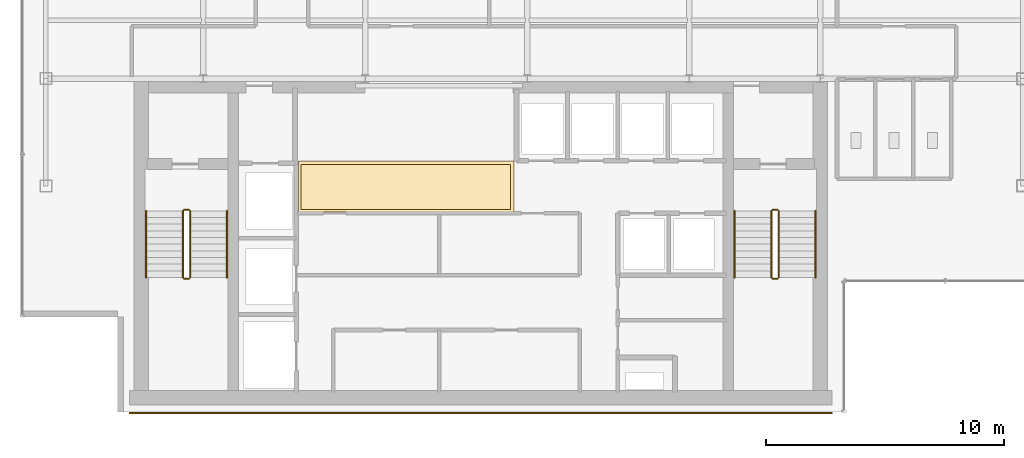
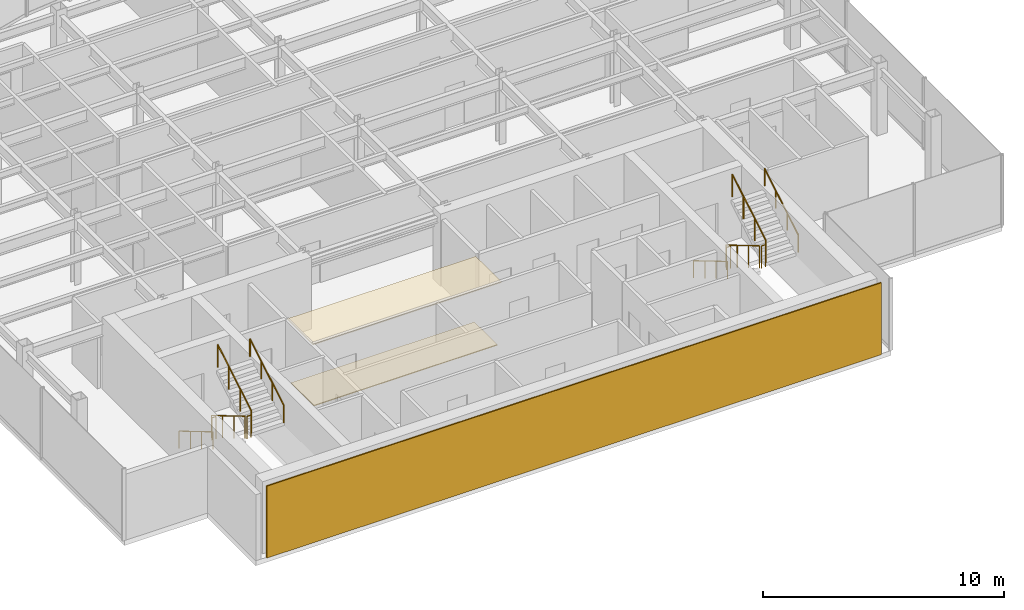
# One storey, part 20 of 22: 12 railings, 3 coverings.
"""IFC4 building model written with IfcOpenShell, lengths in metres."""

from ifc_helpers import new_model, si_unit, derived_unit, direction, frame, origin, origin_2d, place, context, subcontext, project, spatial, polyline, rectangle, circle, outline, extrude, source, transform, mapped, material, layer, layer_set, type_object, element, save


model = new_model("IFC4")

# Units and contexts
model_context = context("Model", 3, precision=1e-05, world=origin(), true_north=direction((0.0, 1.0)))
body_context = subcontext(model_context, "Body", "Model", "MODEL_VIEW")
ifc_project = project(units=[si_unit("LENGTHUNIT", "METRE"), si_unit("AREAUNIT", "SQUARE_METRE"), si_unit("VOLUMEUNIT", "CUBIC_METRE"), si_unit("PLANEANGLEUNIT", "RADIAN"), si_unit("MASSUNIT", "GRAM", prefix="KILO"), derived_unit("THERMALTRANSMITTANCEUNIT", [(si_unit("POWERUNIT", "WATT"), 1), (si_unit("LENGTHUNIT", "METRE"), -2), (si_unit("THERMODYNAMICTEMPERATUREUNIT", "KELVIN"), -1)])], contexts=[model_context])

# Site, building, storey
site_placement = place(None, origin())
site = spatial("IfcSite", under=ifc_project, at=site_placement, CompositionType="ELEMENT")
building_placement = place(site_placement, origin())
building = spatial("IfcBuilding", under=site, at=building_placement, Name="Skarnbrae Concourse Arena and Tower", CompositionType="ELEMENT")
storey_placement = place(building_placement, frame((0.0, 0.0, 232.39990234375)))
storey = spatial("IfcBuildingStorey", under=building, at=storey_placement, Name="L60", CompositionType="ELEMENT", Elevation=232.39990234375)

# Coverings
ifc_material_1 = material(Name="Mineral fibre acoustic ceiling tile", Category="other")
ifc_layer_1 = layer(ifc_material_1, 0.0400390625)
ifc_layer_set_1 = layer_set([ifc_layer_1], Name="Mineral fibre acoustic ceiling tile")
covering_type_1 = type_object("IfcCoveringType", Name="COV-CEIL-ACOUSTIC", PredefinedType="CEILING", material=ifc_layer_set_1)
covering_1_placement = place(storey_placement, frame((0.0, 0.0, 3.190185546875)))
element("IfcCovering", 1, at=covering_1_placement, inside=storey, type_object=covering_type_1, Name="L60 Lift lobby acoustic ceiling", PredefinedType="CEILING", context=body_context, shape_type="SweptSolid", body=[
    extrude(outline(polyline([(11.60009765625, 8.39990234375), (20.64990234375, 8.39990234375), (20.64990234375, 10.550048828125), (11.60009765625, 10.550048828125), (11.60009765625, 8.39990234375)])), origin(), (0.0, 0.0, 1.0), 0.039794921875),
])
ifc_material_2 = material(Name="Polished granite terrazzo flooring", Category="masonry")
ifc_layer_2 = layer(ifc_material_2, 0.0400390625)
ifc_layer_set_2 = layer_set([ifc_layer_2], Name="Polished granite terrazzo flooring")
covering_type_2 = type_object("IfcCoveringType", Name="COV-FLOOR-TERRAZZO", PredefinedType="FLOORING", material=ifc_layer_set_2)
covering_2_placement = place(storey_placement, origin())
element("IfcCovering", 2, at=covering_2_placement, inside=storey, type_object=covering_type_2, Name="L60 Lift lobby terrazzo flooring", PredefinedType="FLOORING", context=body_context, shape_type="SweptSolid", body=[
    extrude(outline(polyline([(11.699951171875, 8.5), (20.5, 8.5), (20.5, 10.39990234375), (11.699951171875, 10.39990234375), (11.699951171875, 8.5)])), origin(), (0.0, 0.0, 1.0), 0.0400390625),
])

# Railings
ifc_material_3 = material(Name="Steel CSA G40.21 350W", Category="steel")
railing_type_1 = type_object("IfcRailingType", Name="RAIL-HANDRAIL-900", PredefinedType="HANDRAIL", material=ifc_material_3)
railing_1_placement = place(storey_placement, frame((5.199951171875, 8.449951171875, 0.166015625)))
element("IfcRailing", 3, at=railing_1_placement, inside=storey, type_object=railing_type_1, Name="L60 ST-1 stair handrail 1", PredefinedType="HANDRAIL", context=body_context, shape_type="SweptSolid", body=[
    extrude(circle(Radius=0.02392578125, at=origin_2d()), frame((0.0, 0.0, 0.8759765625), z_axis=(0.0, -0.860306154799, 0.50977771628), x_axis=(1.0, 0.0, 0.0)), (0.0, 0.0, 1.0), 3.254638671875),
    extrude(circle(Radius=0.02099609375, at=origin_2d()), origin(), (0.0, 0.0, 1.0), 0.851806640625),
    extrude(circle(Radius=0.02099609375, at=origin_2d()), frame((0.0, -0.933349609375, 0.552978515625)), (0.0, 0.0, 1.0), 0.851806640625),
    extrude(circle(Radius=0.02099609375, at=origin_2d()), frame((0.0, -1.86669921875, 1.106201171875)), (0.0, 0.0, 1.0), 0.851806640625),
    extrude(circle(Radius=0.02099609375, at=origin_2d()), frame((0.0, -2.800048828125, 1.6591796875)), (0.0, 0.0, 1.0), 0.851806640625),
])
railing_2_placement = place(storey_placement, frame((8.60009765625, 5.64990234375, 1.990966796875)))
element("IfcRailing", 4, at=railing_2_placement, inside=storey, type_object=railing_type_1, Name="L60 ST-1 stair handrail 2", PredefinedType="HANDRAIL", context=body_context, shape_type="SweptSolid", body=[
    extrude(circle(Radius=0.02392578125, at=origin_2d()), frame((0.0, 0.0, 0.8759765625), z_axis=(0.0, 0.860306154799, 0.50977771628), x_axis=(-1.0, 0.0, 0.0)), (0.0, 0.0, 1.0), 3.254638671875),
    extrude(circle(Radius=0.02099609375, at=origin_2d()), origin(), (0.0, 0.0, 1.0), 0.851806640625),
    extrude(circle(Radius=0.02099609375, at=origin_2d()), frame((0.0, 0.933349609375, 0.552978515625)), (0.0, 0.0, 1.0), 0.851806640625),
    extrude(circle(Radius=0.02099609375, at=origin_2d()), frame((0.0, 1.86669921875, 1.106201171875)), (0.0, 0.0, 1.0), 0.851806640625),
    extrude(circle(Radius=0.02099609375, at=origin_2d()), frame((0.0, 2.800048828125, 1.6591796875)), (0.0, 0.0, 1.0), 0.851806640625),
])
railing_3_placement = place(storey_placement, frame((29.89990234375, 8.449951171875, 0.166015625)))
element("IfcRailing", 5, at=railing_3_placement, inside=storey, type_object=railing_type_1, Name="L60 ST-2 stair handrail 1", PredefinedType="HANDRAIL", context=body_context, shape_type="SweptSolid", body=[
    extrude(circle(Radius=0.02392578125, at=origin_2d()), frame((0.0, 0.0, 0.8759765625), z_axis=(0.0, -0.860306154799, 0.50977771628), x_axis=(1.0, 0.0, 0.0)), (0.0, 0.0, 1.0), 3.254638671875),
    extrude(circle(Radius=0.02099609375, at=origin_2d()), origin(), (0.0, 0.0, 1.0), 0.851806640625),
    extrude(circle(Radius=0.02099609375, at=origin_2d()), frame((0.0, -0.933349609375, 0.552978515625)), (0.0, 0.0, 1.0), 0.851806640625),
    extrude(circle(Radius=0.02099609375, at=origin_2d()), frame((0.0, -1.86669921875, 1.106201171875)), (0.0, 0.0, 1.0), 0.851806640625),
    extrude(circle(Radius=0.02099609375, at=origin_2d()), frame((0.0, -2.800048828125, 1.6591796875)), (0.0, 0.0, 1.0), 0.851806640625),
])
railing_4_placement = place(storey_placement, frame((33.300048828125, 5.64990234375, 1.990966796875)))
element("IfcRailing", 6, at=railing_4_placement, inside=storey, type_object=railing_type_1, Name="L60 ST-2 stair handrail 2", PredefinedType="HANDRAIL", context=body_context, shape_type="SweptSolid", body=[
    extrude(circle(Radius=0.02392578125, at=origin_2d()), frame((0.0, 0.0, 0.8759765625), z_axis=(0.0, 0.860306154799, 0.50977771628), x_axis=(-1.0, 0.0, 0.0)), (0.0, 0.0, 1.0), 3.254638671875),
    extrude(circle(Radius=0.02099609375, at=origin_2d()), origin(), (0.0, 0.0, 1.0), 0.851806640625),
    extrude(circle(Radius=0.02099609375, at=origin_2d()), frame((0.0, 0.933349609375, 0.552978515625)), (0.0, 0.0, 1.0), 0.851806640625),
    extrude(circle(Radius=0.02099609375, at=origin_2d()), frame((0.0, 1.86669921875, 1.106201171875)), (0.0, 0.0, 1.0), 0.851806640625),
    extrude(circle(Radius=0.02099609375, at=origin_2d()), frame((0.0, 2.800048828125, 1.6591796875)), (0.0, 0.0, 1.0), 0.851806640625),
])
railing_type_2 = type_object("IfcRailingType", Name="RAIL-STAIR-GUARD-1150", PredefinedType="GUARDRAIL", material=ifc_material_3)
railing_5_placement = place(storey_placement, frame((6.75, 8.449951171875, 0.166015625)))
element("IfcRailing", 7, at=railing_5_placement, inside=storey, type_object=railing_type_2, Name="L60 ST-1 stair guard 1", PredefinedType="GUARDRAIL", context=body_context, shape_type="SweptSolid", body=[
    extrude(circle(Radius=0.02392578125, at=origin_2d()), frame((0.0, 0.0, 1.1259765625), z_axis=(0.0, -0.860306154799, 0.50977771628), x_axis=(1.0, 0.0, 0.0)), (0.0, 0.0, 1.0), 3.254638671875),
    extrude(circle(Radius=0.02099609375, at=origin_2d()), origin(), (0.0, 0.0, 1.0), 1.101806640625),
    extrude(circle(Radius=0.02099609375, at=origin_2d()), frame((0.0, -0.933349609375, 0.552978515625)), (0.0, 0.0, 1.0), 1.101806640625),
    extrude(circle(Radius=0.02099609375, at=origin_2d()), frame((0.0, -1.86669921875, 1.106201171875)), (0.0, 0.0, 1.0), 1.101806640625),
    extrude(circle(Radius=0.02099609375, at=origin_2d()), frame((0.0, -2.800048828125, 1.6591796875)), (0.0, 0.0, 1.0), 1.101806640625),
])
railing_6_placement = place(storey_placement, frame((6.800048828125, 5.60009765625, 1.8251953125)))
element("IfcRailing", 8, at=railing_6_placement, inside=storey, type_object=railing_type_2, Name="L60 ST-1 stair guard 2", PredefinedType="GUARDRAIL", context=body_context, shape_type="SweptSolid", body=[
    extrude(circle(Radius=0.02392578125, at=origin_2d()), frame((0.0, 0.0, 1.1259765625), z_axis=(1.0, 0.0, 0.0), x_axis=(0.0, 1.0, 0.0)), (0.0, 0.0, 1.0), 0.199951171875),
    extrude(circle(Radius=0.02099609375, at=origin_2d()), origin(), (0.0, 0.0, 1.0), 1.101806640625),
    extrude(circle(Radius=0.02099609375, at=origin_2d()), frame((0.199951171875, 0.0, 0.0)), (0.0, 0.0, 1.0), 1.101806640625),
])
railing_7_placement = place(storey_placement, frame((7.050048828125, 5.64990234375, 1.990966796875)))
element("IfcRailing", 9, at=railing_7_placement, inside=storey, type_object=railing_type_2, Name="L60 ST-1 stair guard 3", PredefinedType="GUARDRAIL", context=body_context, shape_type="SweptSolid", body=[
    extrude(circle(Radius=0.02392578125, at=origin_2d()), frame((0.0, 0.0, 1.1259765625), z_axis=(0.0, 0.860306154799, 0.50977771628), x_axis=(-1.0, 0.0, 0.0)), (0.0, 0.0, 1.0), 3.254638671875),
    extrude(circle(Radius=0.02099609375, at=origin_2d()), origin(), (0.0, 0.0, 1.0), 1.101806640625),
    extrude(circle(Radius=0.02099609375, at=origin_2d()), frame((0.0, 0.933349609375, 0.552978515625)), (0.0, 0.0, 1.0), 1.101806640625),
    extrude(circle(Radius=0.02099609375, at=origin_2d()), frame((0.0, 1.86669921875, 1.106201171875)), (0.0, 0.0, 1.0), 1.101806640625),
    extrude(circle(Radius=0.02099609375, at=origin_2d()), frame((0.0, 2.800048828125, 1.6591796875)), (0.0, 0.0, 1.0), 1.101806640625),
])
railing_8_placement = place(storey_placement, frame((6.800048828125, 8.5, 0.0)))
element("IfcRailing", 10, at=railing_8_placement, inside=storey, type_object=railing_type_2, Name="L60 ST-1 stair guard 4", PredefinedType="GUARDRAIL", context=body_context, shape_type="SweptSolid", body=[
    extrude(circle(Radius=0.02392578125, at=origin_2d()), frame((0.0, 0.0, 1.1259765625), z_axis=(1.0, 0.0, 0.0), x_axis=(0.0, 1.0, 0.0)), (0.0, 0.0, 1.0), 0.199951171875),
    extrude(circle(Radius=0.02099609375, at=origin_2d()), origin(), (0.0, 0.0, 1.0), 1.101806640625),
    extrude(circle(Radius=0.02099609375, at=origin_2d()), frame((0.199951171875, 0.0, 0.0)), (0.0, 0.0, 1.0), 1.101806640625),
])
railing_9_placement = place(storey_placement, frame((31.449951171875, 8.449951171875, 0.166015625)))
element("IfcRailing", 11, at=railing_9_placement, inside=storey, type_object=railing_type_2, Name="L60 ST-2 stair guard 1", PredefinedType="GUARDRAIL", context=body_context, shape_type="SweptSolid", body=[
    extrude(circle(Radius=0.02392578125, at=origin_2d()), frame((0.0, 0.0, 1.1259765625), z_axis=(0.0, -0.860306154799, 0.50977771628), x_axis=(1.0, 0.0, 0.0)), (0.0, 0.0, 1.0), 3.254638671875),
    extrude(circle(Radius=0.02099609375, at=origin_2d()), origin(), (0.0, 0.0, 1.0), 1.101806640625),
    extrude(circle(Radius=0.02099609375, at=origin_2d()), frame((0.0, -0.933349609375, 0.552978515625)), (0.0, 0.0, 1.0), 1.101806640625),
    extrude(circle(Radius=0.02099609375, at=origin_2d()), frame((0.0, -1.86669921875, 1.106201171875)), (0.0, 0.0, 1.0), 1.101806640625),
    extrude(circle(Radius=0.02099609375, at=origin_2d()), frame((0.0, -2.800048828125, 1.6591796875)), (0.0, 0.0, 1.0), 1.101806640625),
])
railing_10_placement = place(storey_placement, frame((31.5, 5.60009765625, 1.8251953125)))
element("IfcRailing", 12, at=railing_10_placement, inside=storey, type_object=railing_type_2, Name="L60 ST-2 stair guard 2", PredefinedType="GUARDRAIL", context=body_context, shape_type="SweptSolid", body=[
    extrude(circle(Radius=0.02392578125, at=origin_2d()), frame((0.0, 0.0, 1.1259765625), z_axis=(1.0, 0.0, 0.0), x_axis=(0.0, 1.0, 0.0)), (0.0, 0.0, 1.0), 0.199951171875),
    extrude(circle(Radius=0.02099609375, at=origin_2d()), origin(), (0.0, 0.0, 1.0), 1.101806640625),
    extrude(circle(Radius=0.02099609375, at=origin_2d()), frame((0.199951171875, 0.0, 0.0)), (0.0, 0.0, 1.0), 1.101806640625),
])
railing_11_placement = place(storey_placement, frame((31.75, 5.64990234375, 1.990966796875)))
element("IfcRailing", 13, at=railing_11_placement, inside=storey, type_object=railing_type_2, Name="L60 ST-2 stair guard 3", PredefinedType="GUARDRAIL", context=body_context, shape_type="SweptSolid", body=[
    extrude(circle(Radius=0.02392578125, at=origin_2d()), frame((0.0, 0.0, 1.1259765625), z_axis=(0.0, 0.860306154799, 0.50977771628), x_axis=(-1.0, 0.0, 0.0)), (0.0, 0.0, 1.0), 3.254638671875),
    extrude(circle(Radius=0.02099609375, at=origin_2d()), origin(), (0.0, 0.0, 1.0), 1.101806640625),
    extrude(circle(Radius=0.02099609375, at=origin_2d()), frame((0.0, 0.933349609375, 0.552978515625)), (0.0, 0.0, 1.0), 1.101806640625),
    extrude(circle(Radius=0.02099609375, at=origin_2d()), frame((0.0, 1.86669921875, 1.106201171875)), (0.0, 0.0, 1.0), 1.101806640625),
    extrude(circle(Radius=0.02099609375, at=origin_2d()), frame((0.0, 2.800048828125, 1.6591796875)), (0.0, 0.0, 1.0), 1.101806640625),
])
railing_12_placement = place(storey_placement, frame((31.5, 8.5, 0.0)))
element("IfcRailing", 14, at=railing_12_placement, inside=storey, type_object=railing_type_2, Name="L60 ST-2 stair guard 4", PredefinedType="GUARDRAIL", context=body_context, shape_type="SweptSolid", body=[
    extrude(circle(Radius=0.02392578125, at=origin_2d()), frame((0.0, 0.0, 1.1259765625), z_axis=(1.0, 0.0, 0.0), x_axis=(0.0, 1.0, 0.0)), (0.0, 0.0, 1.0), 0.199951171875),
    extrude(circle(Radius=0.02099609375, at=origin_2d()), origin(), (0.0, 0.0, 1.0), 1.101806640625),
    extrude(circle(Radius=0.02099609375, at=origin_2d()), frame((0.199951171875, 0.0, 0.0)), (0.0, 0.0, 1.0), 1.101806640625),
])

# Covering
ifc_material_4 = material(Name="Bronze anodised aluminium 6063-T6", Category="aluminium")
ifc_layer_3 = layer(ifc_material_4, 0.06005859375)
ifc_layer_set_3 = layer_set([ifc_layer_3], Name="Bronze anodised aluminium 6063-T6")
covering_type_3 = type_object("IfcCoveringType", Name="COV-CLAD-BRONZE-60", PredefinedType="CLADDING", material=ifc_layer_set_3)
shared_shape = source(origin(), body_context, "Body", "SweptSolid", [
    extrude(rectangle(XDim=29.5, YDim=0.06005859375, at=origin_2d()), origin(), (0.0, 0.0, 1.0), 3.64990234375),
])
covering_3_placement = place(storey_placement, frame((19.25, -0.030029296875, 0.000244140625), z_axis=(0.0, 0.0, 1.0), x_axis=(1.0, 0.0, 0.0)))
element("IfcCovering", 15, at=covering_3_placement, inside=storey, type_object=covering_type_3, Name="L60 Rear-core plumb spine bronze rainscreen panel", PredefinedType="CLADDING", context=body_context, shape_type="MappedRepresentation", body=[
    mapped(shared_shape, transform((0.0, 0.0, 0.0))),
])

save(model, "model.ifc")
